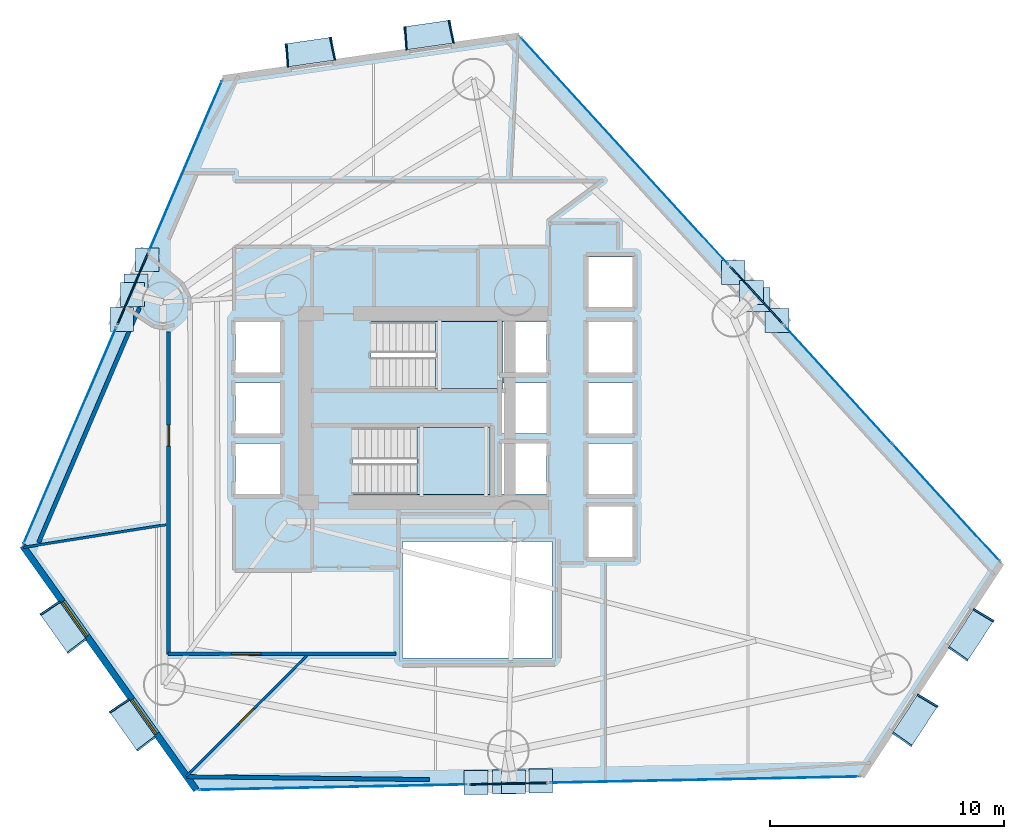
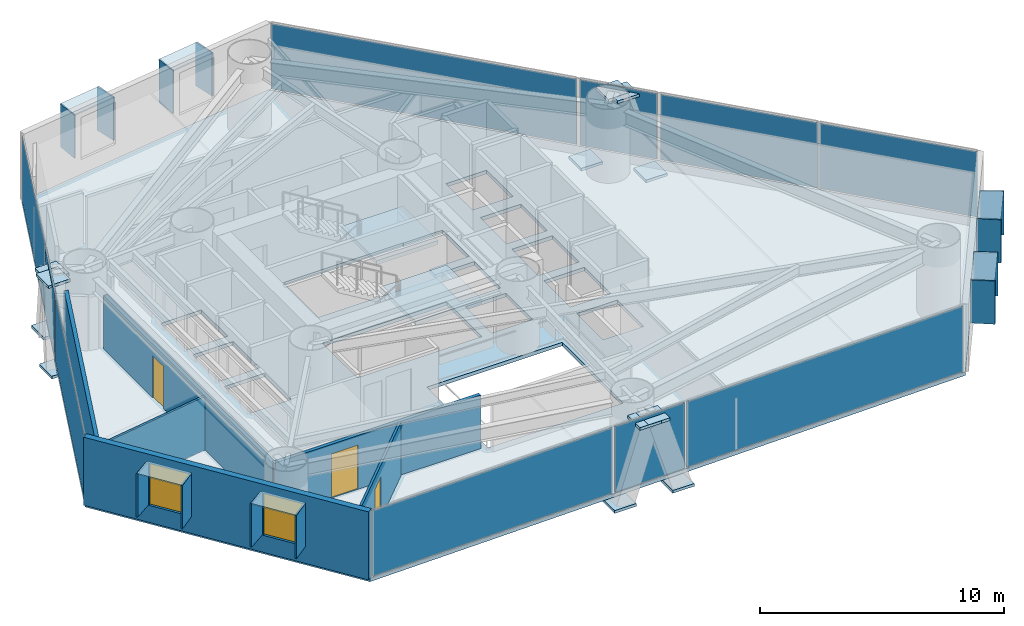
# One storey, part 16 of 22: 40 plates, 7 walls, 3 doors, 3 slabs, 2 windows, 5 openings, 11 elements without a shape of their own.
"""IFC4 building model written with IfcOpenShell, lengths in metres."""

from ifc_helpers import new_model, si_unit, direction, frame, frame_2d, origin, origin_2d, place, context, subcontext, project, spatial, polyline, rectangle, outline, extrude, material, layer, layer_set, type_object, element, fill, aggregate, save


model = new_model("IFC4")

# Units and contexts
model_context = context("Model", 3, precision=1e-05, world=origin(), true_north=direction((0.0, 1.0)))
body_context = subcontext(model_context, "Body", "Model", "MODEL_VIEW")
ifc_project = project(units=[si_unit("LENGTHUNIT", "METRE"), si_unit("AREAUNIT", "SQUARE_METRE"), si_unit("VOLUMEUNIT", "CUBIC_METRE"), si_unit("PLANEANGLEUNIT", "RADIAN"), si_unit("MASSUNIT", "GRAM", prefix="KILO")], contexts=[model_context])

# Site, building, storey
site_placement = place(None, origin())
site = spatial("IfcSite", under=ifc_project, at=site_placement, CompositionType="ELEMENT")
building_placement = place(site_placement, origin())
building = spatial("IfcBuilding", under=site, at=building_placement, Name="Qianvela Tower", CompositionType="ELEMENT")
storey_placement = place(building_placement, frame((0.0, 0.0, 44.199951171875)))
storey = spatial("IfcBuildingStorey", under=building, at=storey_placement, Name="L10", CompositionType="ELEMENT", Elevation=44.199951171875)

# Curtain wall, plate
ifc_material_1 = material(Name="Anodised Architectural Aluminium and Insulated Spandrel Panel", Category="aluminium")
ifc_layer_1 = layer(ifc_material_1, 0.179931640625)
ifc_layer_set_1 = layer_set([ifc_layer_1], Name="Anodised Architectural Aluminium and Insulated Spandrel Panel")
curtain_wall_type_1 = type_object("IfcCurtainWallType", Name="CW-BRACEBAY", PredefinedType="USERDEFINED", material=ifc_layer_set_1)
curtain_wall_1_placement = place(storey_placement, origin())
curtain_wall_1 = element("IfcCurtainWall", 1, at=curtain_wall_1_placement, inside=storey, type_object=curtain_wall_type_1, Name="L10 CW-BRACEBAY Curtain Wall 02B", ObjectType="CURTAIN_WALL_SYSTEM", PredefinedType="USERDEFINED")
ifc_material_2 = material(Name="Insulated Aluminium Spandrel Panel with Mineral-Wool Backpan", Category="aluminium")
ifc_layer_2 = layer(ifc_material_2, 0.06005859375)
ifc_layer_set_2 = layer_set([ifc_layer_2], Name="Insulated Aluminium Spandrel Panel with Mineral-Wool Backpan")
plate_type_1 = type_object("IfcPlateType", Name="CW-BRACEBAY-PNL", PredefinedType="CURTAIN_PANEL", material=ifc_layer_set_2)
plate_1_placement = place(storey_placement, frame((48.748779296875, 33.53515625, 0.06494140625), z_axis=(0.0, 0.0, 1.0), x_axis=(-0.674911732968, 0.737898470457, 0.0)))
plate_1 = element("IfcPlate", 2, at=plate_1_placement, type_object=plate_type_1, Name="CW-9 panel 1.1", PredefinedType="CURTAIN_PANEL", context=body_context, shape_type="SweptSolid", body=[
    extrude(rectangle(XDim=3.31982421875, YDim=0.06005859375, at=origin_2d()), origin(), (0.0, 0.0, 1.0), 3.27001953125),
])
aggregate(curtain_wall_1, [plate_1])

curtain_wall_2_placement = place(storey_placement, origin())
curtain_wall_2 = element("IfcCurtainWall", 3, at=curtain_wall_2_placement, inside=storey, type_object=curtain_wall_type_1, Name="L10 CW-BRACEBAY Curtain Wall 04B", ObjectType="CURTAIN_WALL_SYSTEM", PredefinedType="USERDEFINED")
plate_2_placement = place(storey_placement, frame((22.046142578125, 33.8037109375, 0.06494140625), z_axis=(0.0, 0.0, 1.0), x_axis=(-0.393943786304, -0.919134534893, 0.0)))
plate_2 = element("IfcPlate", 4, at=plate_2_placement, type_object=plate_type_1, Name="CW-9 panel 1.1", PredefinedType="CURTAIN_PANEL", context=body_context, shape_type="SweptSolid", body=[
    extrude(rectangle(XDim=3.320068359375, YDim=0.06005859375, at=origin_2d()), origin(), (0.0, 0.0, 1.0), 3.27001953125),
])
aggregate(curtain_wall_2, [plate_2])

curtain_wall_3_placement = place(storey_placement, origin())
curtain_wall_3 = element("IfcCurtainWall", 5, at=curtain_wall_3_placement, inside=storey, type_object=curtain_wall_type_1, Name="L10 CW-BRACEBAY Curtain Wall 06B", ObjectType="CURTAIN_WALL_SYSTEM", PredefinedType="USERDEFINED")
plate_3_placement = place(storey_placement, frame((38.126708984375, 12.623779296875, 0.06494140625), z_axis=(0.0, 0.0, 1.0), x_axis=(0.999797653743, 0.020115953144, 0.0)))
plate_3 = element("IfcPlate", 6, at=plate_3_placement, type_object=plate_type_1, Name="CW-9 panel 1.1", PredefinedType="CURTAIN_PANEL", context=body_context, shape_type="SweptSolid", body=[
    extrude(rectangle(XDim=3.320068359375, YDim=0.06005859375, at=origin_2d()), origin(), (0.0, 0.0, 1.0), 3.27001953125),
])
aggregate(curtain_wall_3, [plate_3])

# Curtain wall, plates
ifc_material_3 = material(Name="Anodised Architectural Aluminium and Low-E Glass", Category="aluminium")
ifc_layer_3 = layer(ifc_material_3, 0.179931640625)
ifc_layer_set_3 = layer_set([ifc_layer_3], Name="Anodised Architectural Aluminium and Low-E Glass")
curtain_wall_type_2 = type_object("IfcCurtainWallType", Name="CW-COLIV-Z12", PredefinedType="USERDEFINED", material=ifc_layer_set_3)
curtain_wall_4_placement = place(storey_placement, origin())
curtain_wall_4 = element("IfcCurtainWall", 7, at=curtain_wall_4_placement, inside=storey, type_object=curtain_wall_type_2, Name="L10 CW-COLIV-Z12 Curtain Wall 02A", ObjectType="CURTAIN_WALL_SYSTEM", PredefinedType="USERDEFINED")
ifc_material_4 = material(Name="Double-Silver Low-E Insulated Glass", Category="glass")
ifc_layer_4 = layer(ifc_material_4, 0.030029296875)
ifc_layer_set_4 = layer_set([ifc_layer_4], Name="Double-Silver Low-E Insulated Glass")
plate_type_2 = type_object("IfcPlateType", Name="CW-COLIV-Z12-PNL", PredefinedType="CURTAIN_PANEL", material=ifc_layer_set_4)
plate_4_placement = place(storey_placement, frame((56.861083984375, 24.665771484375, 0.06494140625), z_axis=(0.0, 0.0, 1.0), x_axis=(-0.674906816191, 0.737902967509, 0.0)))
plate_4 = element("IfcPlate", 8, at=plate_4_placement, type_object=plate_type_2, Name="CW-3 panel 1.1", PredefinedType="CURTAIN_PANEL", context=body_context, shape_type="SweptSolid", body=[
    extrude(rectangle(XDim=6.77001953125, YDim=0.030029296875, at=origin_2d()), origin(), (0.0, 0.0, 1.0), 3.27001953125),
])
plate_5_placement = place(storey_placement, frame((52.24462890625, 29.712890625, 0.06494140625), z_axis=(0.0, 0.0, 1.0), x_axis=(-0.674906816191, 0.737902967509, 0.0)))
plate_5 = element("IfcPlate", 9, at=plate_5_placement, type_object=plate_type_2, Name="CW-3 panel 2.1", PredefinedType="CURTAIN_PANEL", context=body_context, shape_type="SweptSolid", body=[
    extrude(rectangle(XDim=6.77001953125, YDim=0.030029296875, at=origin_2d()), origin(), (0.0, 0.0, 1.0), 3.27001953125),
])
aggregate(curtain_wall_4, [plate_4, plate_5])

# Curtain wall, plate
curtain_wall_5_placement = place(storey_placement, origin())
curtain_wall_5 = element("IfcCurtainWall", 10, at=curtain_wall_5_placement, inside=storey, type_object=curtain_wall_type_2, Name="L10 CW-COLIV-Z12 Curtain Wall 02C", ObjectType="CURTAIN_WALL_SYSTEM", PredefinedType="USERDEFINED")
plate_6_placement = place(storey_placement, frame((43.1083984375, 39.701904296875, 0.06494140625), z_axis=(0.0, 0.0, 1.0), x_axis=(-0.674910332157, 0.737899751692, 0.0)))
plate_6 = element("IfcPlate", 11, at=plate_6_placement, type_object=plate_type_2, Name="CW-3 panel 1.1", PredefinedType="CURTAIN_PANEL", context=body_context, shape_type="SweptSolid", body=[
    extrude(rectangle(XDim=13.1240234375, YDim=0.030029296875, at=origin_2d()), origin(), (0.0, 0.0, 1.0), 3.27001953125),
])
aggregate(curtain_wall_5, [plate_6])

curtain_wall_6_placement = place(storey_placement, origin())
curtain_wall_6 = element("IfcCurtainWall", 12, at=curtain_wall_6_placement, inside=storey, type_object=curtain_wall_type_2, Name="L10 CW-COLIV-Z12 Curtain Wall 04A", ObjectType="CURTAIN_WALL_SYSTEM", PredefinedType="USERDEFINED")
plate_7_placement = place(storey_placement, frame((24.305419921875, 39.07470703125, 0.06494140625), z_axis=(0.0, 0.0, 1.0), x_axis=(-0.393943376385, -0.919134710585, 0.0)))
plate_7 = element("IfcPlate", 13, at=plate_7_placement, type_object=plate_type_2, Name="CW-3 panel 1.1", PredefinedType="CURTAIN_PANEL", context=body_context, shape_type="SweptSolid", body=[
    extrude(rectangle(XDim=7.8798828125, YDim=0.030029296875, at=origin_2d()), origin(), (0.0, 0.0, 1.0), 3.27001953125),
])
aggregate(curtain_wall_6, [plate_7])

curtain_wall_7_placement = place(storey_placement, origin())
curtain_wall_7 = element("IfcCurtainWall", 14, at=curtain_wall_7_placement, inside=storey, type_object=curtain_wall_type_2, Name="L10 CW-COLIV-Z12 Curtain Wall 04C", ObjectType="CURTAIN_WALL_SYSTEM", PredefinedType="USERDEFINED")
plate_8_placement = place(storey_placement, frame((19.359619140625, 27.535400390625, 0.06494140625), z_axis=(0.0, 0.0, 1.0), x_axis=(-0.393940618904, -0.919135892443, 0.0)))
plate_8 = element("IfcPlate", 15, at=plate_8_placement, type_object=plate_type_2, Name="CW-3 panel 1.1", PredefinedType="CURTAIN_PANEL", context=body_context, shape_type="SweptSolid", body=[
    extrude(rectangle(XDim=10.04931640625, YDim=0.030029296875, at=origin_2d()), origin(), (0.0, 0.0, 1.0), 3.27001953125),
])
aggregate(curtain_wall_7, [plate_8])

curtain_wall_8_placement = place(storey_placement, origin())
curtain_wall_8 = element("IfcCurtainWall", 16, at=curtain_wall_8_placement, inside=storey, type_object=curtain_wall_type_2, Name="L10 CW-COLIV-Z12 Curtain Wall 06A", ObjectType="CURTAIN_WALL_SYSTEM", PredefinedType="USERDEFINED")
plate_9_placement = place(storey_placement, frame((30.6083984375, 12.47265625, 0.06494140625), z_axis=(0.0, 0.0, 1.0), x_axis=(0.999797554462, 0.020120886959, 0.0)))
plate_9 = element("IfcPlate", 17, at=plate_9_placement, type_object=plate_type_2, Name="CW-3 panel 1.1", PredefinedType="CURTAIN_PANEL", context=body_context, shape_type="SweptSolid", body=[
    extrude(rectangle(XDim=11.449951171875, YDim=0.030029296875, at=origin_2d()), origin(), (0.0, 0.0, 1.0), 3.27001953125),
])
aggregate(curtain_wall_8, [plate_9])

curtain_wall_9_placement = place(storey_placement, origin())
curtain_wall_9 = element("IfcCurtainWall", 18, at=curtain_wall_9_placement, inside=storey, type_object=curtain_wall_type_2, Name="L10 CW-COLIV-Z12 Curtain Wall 06C", ObjectType="CURTAIN_WALL_SYSTEM", PredefinedType="USERDEFINED")
plate_10_placement = place(storey_placement, frame((46.51708984375, 12.792724609375, 0.06494140625), z_axis=(0.0, 0.0, 1.0), x_axis=(0.99979754527, 0.020121343706, 0.0)))
plate_10 = element("IfcPlate", 19, at=plate_10_placement, type_object=plate_type_2, Name="CW-3 panel 1.1", PredefinedType="CURTAIN_PANEL", context=body_context, shape_type="SweptSolid", body=[
    extrude(rectangle(XDim=13.194091796875, YDim=0.030029296875, at=origin_2d()), origin(), (0.0, 0.0, 1.0), 3.27001953125),
])
aggregate(curtain_wall_9, [plate_10])

# Plates
ifc_material_5 = material(Name="Steel Q420GJC", Category="steel")
ifc_layer_5 = layer(ifc_material_5, 0.139892578125)
ifc_layer_set_5 = layer_set([ifc_layer_5], Name="Steel Q420GJC")
plate_type_3 = type_object("IfcPlateType", Name="PT-GUSSET-NODE-140", PredefinedType="USERDEFINED", material=ifc_layer_set_5)
for number, where, z_axis, x_axis, name in (
    (20, (49.62841796875, 32.454833984375, -0.66357421875), (0.0, 0.0, 1.0), (1.0, 0.0, 0.0), "L10 Node Gusset Plate A"),
    (21, (48.810546875, 33.34912109375, 3.0400390625), (0.0, 0.0, 1.0), (1.0, 0.0, 0.0), "L10 Node Gusset Plate B"),
    (22, (47.75244140625, 34.506103515625, -0.6640625), (0.0, 0.0, 1.0), (1.0, 0.0, 0.0), "L10 Node Gusset Plate A"),
    (23, (48.540283203125, 33.644287109375, 3.0400390625), (0.0, 0.0, 1.0), (1.0, 0.0, 0.0), "L10 Node Gusset Plate B"),
    (24, (22.668701171875, 35.052490234375, -0.66357421875), (0.0, 0.0, 1.0), (1.0, 0.0, 0.0), "L10 Node Gusset Plate A"),
    (25, (22.1904296875, 33.93701171875, 3.0400390625), (0.0, 0.0, 1.0), (1.0, 0.0, 0.0), "L10 Node Gusset Plate B"),
    (26, (21.573486328125, 32.49755859375, -0.6640625), (0.0, 0.0, 1.0), (1.0, 0.0, 0.0), "L10 Node Gusset Plate A"),
    (27, (22.032958984375, 33.569091796875, 3.0400390625), (0.0, 0.0, 1.0), (1.0, 0.0, 0.0), "L10 Node Gusset Plate B"),
    (28, (36.733642578125, 12.67578125, -0.66357421875), (0.0, 0.0, 1.0), (1.0, 0.0, 0.0), "L10 Node Gusset Plate A"),
    (29, (37.946533203125, 12.7001953125, 3.0400390625), (0.0, 0.0, 1.0), (1.0, 0.0, 0.0), "L10 Node Gusset Plate B"),
    (30, (39.5126953125, 12.731689453125, -0.6640625), (0.0, 0.0, 1.0), (1.0, 0.0, 0.0), "L10 Node Gusset Plate A"),
    (31, (38.346923828125, 12.708251953125, 3.0400390625), (0.0, 0.0, 1.0), (1.0, 0.0, 0.0), "L10 Node Gusset Plate B"),
):
    element("IfcPlate", number, at=place(storey_placement, frame(where, z_axis=z_axis, x_axis=x_axis)), inside=storey, type_object=plate_type_3, Name=name, ObjectType="GUSSET_PLATE", PredefinedType="USERDEFINED", context=body_context, shape_type="SweptSolid", body=[
        extrude(rectangle(XDim=1.02001953125, YDim=1.02001953125, at=origin_2d()), origin(), (0.0, 0.0, 1.0), 0.139892578125),
    ])

# Slab
ifc_material_6 = material(Name="Concrete C40", Category="concrete")
ifc_layer_6 = layer(ifc_material_6, 0.179931640625)
ifc_layer_set_6 = layer_set([ifc_layer_6], Name="Concrete C40")
slab_type_1 = type_object("IfcSlabType", Name="SL-FLOOR-180", PredefinedType="FLOOR", material=ifc_layer_set_6)
slab_1_placement = place(storey_placement, frame((0.0, 0.0, -0.179931640625)))
element("IfcSlab", 32, at=slab_1_placement, inside=storey, type_object=slab_type_1, Name="L10 Composite Structural Floor Slab", PredefinedType="FLOOR", context=body_context, shape_type="SweptSolid", body=[
    extrude(outline(polyline([(53.23291015625, 12.927978515625), (59.2265625, 22.079345703125), (38.5986328125, 44.632568359375), (25.90478515625, 42.806396484375), (17.3330078125, 22.806640625), (24.764404296875, 12.35498046875), (53.23291015625, 12.927978515625)]), holes=[polyline([(40.0, 23.0), (33.60009765625, 23.0), (33.60009765625, 18.0), (40.0, 18.0), (40.0, 23.0)]), polyline([(28.360107421875, 25.02001953125), (28.360107421875, 27.179931640625), (26.43994140625, 27.179931640625), (26.43994140625, 25.02001953125), (28.360107421875, 25.02001953125)]), polyline([(37.35009765625, 25.0), (37.35009765625, 27.860107421875), (31.469970703125, 27.860107421875), (31.469970703125, 25.0), (37.35009765625, 25.0)]), polyline([(28.360107421875, 27.6201171875), (28.360107421875, 29.780029296875), (26.43994140625, 29.780029296875), (26.43994140625, 27.6201171875), (28.360107421875, 27.6201171875)]), polyline([(37.89990234375, 32.3798828125), (37.89990234375, 32.39990234375), (32.25, 32.39990234375), (32.25, 29.5400390625), (37.840087890625, 29.5400390625), (37.840087890625, 27.6201171875), (39.760009765625, 27.6201171875), (39.760009765625, 29.780029296875), (37.89990234375, 29.780029296875), (37.89990234375, 30.219970703125), (39.760009765625, 30.219970703125), (39.760009765625, 32.3798828125), (37.89990234375, 32.3798828125)]), polyline([(28.360107421875, 30.219970703125), (28.360107421875, 32.3798828125), (26.43994140625, 32.3798828125), (26.43994140625, 30.219970703125), (28.360107421875, 30.219970703125)]), polyline([(43.4599609375, 24.47998046875), (41.5400390625, 24.47998046875), (41.5400390625, 22.320068359375), (43.4599609375, 22.320068359375), (43.4599609375, 24.47998046875)]), polyline([(39.760009765625, 25.02001953125), (39.760009765625, 27.179931640625), (37.840087890625, 27.179931640625), (37.840087890625, 25.02001953125), (39.760009765625, 25.02001953125)]), polyline([(43.4599609375, 25.02001953125), (43.4599609375, 27.179931640625), (41.5400390625, 27.179931640625), (41.5400390625, 25.02001953125), (43.4599609375, 25.02001953125)]), polyline([(43.4599609375, 27.6201171875), (43.4599609375, 29.780029296875), (41.5400390625, 29.780029296875), (41.5400390625, 27.6201171875), (43.4599609375, 27.6201171875)]), polyline([(43.4599609375, 30.219970703125), (43.4599609375, 32.3798828125), (41.5400390625, 32.3798828125), (41.5400390625, 30.219970703125), (43.4599609375, 30.219970703125)]), polyline([(43.4599609375, 33.02001953125), (43.4599609375, 35.179931640625), (41.5400390625, 35.179931640625), (41.5400390625, 33.02001953125), (43.4599609375, 33.02001953125)])]), origin(), (0.0, 0.0, 1.0), 0.179931640625),
])

# Stair, slab
ifc_material_7 = material(Name="Concrete C40", Category="concrete")
stair_type = type_object("IfcStairType", Name="ST-DOGLEG-1350-R168-N22", PredefinedType="HALF_TURN_STAIR", material=ifc_material_7)
stair_1_placement = place(storey_placement, origin())
stair_1 = element("IfcStair", 33, at=stair_1_placement, inside=storey, type_object=stair_type, Name="L10 Smoke-Proof Core Stair ST-1", PredefinedType="HALF_TURN_STAIR")
ifc_material_8 = material(Name="Concrete C40", Category="concrete")
ifc_layer_7 = layer(ifc_material_8, 0.199951171875)
ifc_layer_set_7 = layer_set([ifc_layer_7], Name="Concrete C40")
slab_type_2 = type_object("IfcSlabType", Name="SL-STAIR-LANDING-200", PredefinedType="LANDING", material=ifc_layer_set_7)
slab_2_placement = place(storey_placement, frame((0.0, 0.0, 1.650146484375)))
slab_2 = element("IfcSlab", 34, at=slab_2_placement, type_object=slab_type_2, Name="ST-1 landing 1", PredefinedType="LANDING", context=body_context, shape_type="SweptSolid", body=[
    extrude(outline(polyline([(35.0, 29.5400390625), (37.89990234375, 29.5400390625), (37.89990234375, 32.39990234375), (35.0, 32.39990234375), (35.0, 29.5400390625)])), origin(), (0.0, 0.0, 1.0), 0.199951171875),
])
aggregate(stair_1, [slab_2])

stair_2_placement = place(storey_placement, origin())
stair_2 = element("IfcStair", 35, at=stair_2_placement, inside=storey, type_object=stair_type, Name="L10 Smoke-Proof Core Stair ST-2", PredefinedType="HALF_TURN_STAIR")
slab_3_placement = place(storey_placement, frame((0.0, 0.0, 1.650146484375)))
slab_3 = element("IfcSlab", 36, at=slab_3_placement, type_object=slab_type_2, Name="ST-2 landing 1", PredefinedType="LANDING", context=body_context, shape_type="SweptSolid", body=[
    extrude(outline(polyline([(34.219970703125, 25.0), (37.35009765625, 25.0), (37.35009765625, 27.860107421875), (34.219970703125, 27.860107421875), (34.219970703125, 25.0)])), origin(), (0.0, 0.0, 1.0), 0.199951171875),
])
aggregate(stair_2, [slab_3])

# Plates
ifc_material_9 = material(Name="Vitrified Architectural Terracotta Panel", Category="masonry")
ifc_layer_8 = layer(ifc_material_9, 0.06005859375)
ifc_layer_set_8 = layer_set([ifc_layer_8], Name="Vitrified Architectural Terracotta Panel")
plate_type_4 = type_object("IfcPlateType", Name="TERRACOTTA-SUNSHADE-HOOD-FOLD-A", PredefinedType="USERDEFINED", material=ifc_layer_set_8)
for number, where, z_axis, x_axis, name in (
    (37, (34.705810546875, 44.673583984375, 2.9599609375), (0.0, 0.0, 1.0), (-0.989810306633, -0.142392264129, 0.0), "L10 Terracotta Sunshade Hood FOLD-A"),
    (38, (29.62841796875, 43.943359375, 2.9599609375), (0.0, 0.0, 1.0), (-0.989810306633, -0.142392264129, 0.0), "L10 Terracotta Sunshade Hood FOLD-A"),
):
    element("IfcPlate", number, at=place(storey_placement, frame(where, z_axis=z_axis, x_axis=x_axis)), inside=storey, type_object=plate_type_4, Name=name, ObjectType="SUNSHADE", PredefinedType="USERDEFINED", context=body_context, shape_type="SweptSolid", body=[
        extrude(rectangle(XDim=2.0400390625, YDim=0.989990234375, at=origin_2d()), origin(), (0.0, 0.0, 1.0), 0.06005859375),
    ])
ifc_material_10 = material(Name="Vitrified Architectural Terracotta Panel", Category="masonry")
ifc_layer_9 = layer(ifc_material_10, 0.070068359375)
ifc_layer_set_9 = layer_set([ifc_layer_9], Name="Vitrified Architectural Terracotta Panel")
plate_type_5 = type_object("IfcPlateType", Name="TERRACOTTA-SUNSHADE-HOOD-FOLD-C", PredefinedType="USERDEFINED", material=ifc_layer_set_9)
for number, where, z_axis, x_axis, name in (
    (39, (55.52880859375, 15.347412109375, 2.9599609375), (0.0, 0.0, 1.0), (0.547901998177, 0.836542527546, 0.0), "L10 Terracotta Sunshade Hood FOLD-C"),
    (40, (57.92626953125, 19.0078125, 2.9599609375), (0.0, 0.0, 1.0), (0.547901998177, 0.836542527546, 0.0), "L10 Terracotta Sunshade Hood FOLD-C"),
    (41, (19.077392578125, 19.326416015625, 2.9599609375), (0.0, 0.0, 1.0), (0.57948175076, -0.814985214919, 0.0), "L10 Terracotta Sunshade Hood FOLD-C"),
    (42, (22.050048828125, 15.145751953125, 2.9599609375), (0.0, 0.0, 1.0), (0.57948175076, -0.814985214919, 0.0), "L10 Terracotta Sunshade Hood FOLD-C"),
):
    element("IfcPlate", number, at=place(storey_placement, frame(where, z_axis=z_axis, x_axis=x_axis)), inside=storey, type_object=plate_type_5, Name=name, ObjectType="SUNSHADE", PredefinedType="USERDEFINED", context=body_context, shape_type="SweptSolid", body=[
        extrude(rectangle(XDim=2.0400390625, YDim=0.989990234375, at=origin_2d()), origin(), (0.0, 0.0, 1.0), 0.06005859375),
    ])
ifc_material_11 = material(Name="Vitrified Architectural Terracotta Side Fin Panel", Category="masonry")
ifc_layer_10 = layer(ifc_material_11, 0.06494140625)
ifc_layer_set_10 = layer_set([ifc_layer_10], Name="Vitrified Architectural Terracotta Side Fin Panel")
plate_type_6 = type_object("IfcPlateType", Name="TERRACOTTA-SUNSHADE-STRUT-FOLD-A", PredefinedType="USERDEFINED", material=ifc_layer_set_10)
for number, where, z_axis, x_axis, name in (
    (43, (35.685791015625, 44.814697265625, 0.85009765625), (0.0, 0.0, 1.0), (-0.977466396239, -0.211091080397, 0.0), "L10 Terracotta Sunshade Side Fin HL FOLD-A"),
    (44, (33.725830078125, 44.53271484375, 0.85009765625), (0.0, 0.0, 1.0), (-0.997331960707, -0.072999727064, 0.0), "L10 Terracotta Sunshade Side Fin HR FOLD-A"),
    (45, (30.608154296875, 44.084228515625, 0.85009765625), (0.0, 0.0, 1.0), (-0.977466396239, -0.211091080397, 0.0), "L10 Terracotta Sunshade Side Fin HL FOLD-A"),
    (46, (28.6484375, 43.80224609375, 0.85009765625), (0.0, 0.0, 1.0), (-0.997331960707, -0.072999727064, 0.0), "L10 Terracotta Sunshade Side Fin HR FOLD-A"),
):
    element("IfcPlate", number, at=place(storey_placement, frame(where, z_axis=z_axis, x_axis=x_axis)), inside=storey, type_object=plate_type_6, Name=name, ObjectType="SUNSHADE", PredefinedType="USERDEFINED", context=body_context, shape_type="SweptSolid", body=[
        extrude(rectangle(XDim=0.06494140625, YDim=1.010009765625, at=origin_2d()), origin(), (0.0, 0.0, 1.0), 2.159912109375),
    ])
ifc_material_12 = material(Name="Vitrified Architectural Terracotta Side Fin Panel", Category="masonry")
ifc_layer_11 = layer(ifc_material_12, 0.074951171875)
ifc_layer_set_11 = layer_set([ifc_layer_11], Name="Vitrified Architectural Terracotta Side Fin Panel")
plate_type_7 = type_object("IfcPlateType", Name="TERRACOTTA-SUNSHADE-STRUT-FOLD-C", PredefinedType="USERDEFINED", material=ifc_layer_set_11)
for number, where, z_axis, x_axis, name in (
    (47, (54.986328125, 14.51904296875, 0.85009765625), (0.0, 0.0, 1.0), (0.576763144265, 0.816911424463, 0.0), "L10 Terracotta Sunshade Side Fin HL FOLD-C"),
    (48, (56.071044921875, 16.175537109375, 0.85009765625), (0.0, 0.0, 1.0), (0.518373317902, 0.85515443242, 0.0), "L10 Terracotta Sunshade Side Fin HR FOLD-C"),
    (49, (57.3837890625, 18.1796875, 0.85009765625), (0.0, 0.0, 1.0), (0.576763144265, 0.816911424463, 0.0), "L10 Terracotta Sunshade Side Fin HL FOLD-C"),
    (50, (58.468505859375, 19.836181640625, 0.85009765625), (0.0, 0.0, 1.0), (0.518373317902, 0.85515443242, 0.0), "L10 Terracotta Sunshade Side Fin HR FOLD-C"),
    (51, (18.50390625, 20.13330078125, 0.85009765625), (0.0, 0.0, 1.0), (0.550686172314, -0.834712369396, 0.0), "L10 Terracotta Sunshade Side Fin HL FOLD-C"),
    (52, (19.651123046875, 18.51953125, 0.85009765625), (0.0, 0.0, 1.0), (0.607571319955, -0.794265126496, 0.0), "L10 Terracotta Sunshade Side Fin HR FOLD-C"),
    (53, (21.476318359375, 15.95263671875, 0.85009765625), (0.0, 0.0, 1.0), (0.550686172314, -0.834712369396, 0.0), "L10 Terracotta Sunshade Side Fin HL FOLD-C"),
    (54, (22.623779296875, 14.3388671875, 0.85009765625), (0.0, 0.0, 1.0), (0.607571319955, -0.794265126496, 0.0), "L10 Terracotta Sunshade Side Fin HR FOLD-C"),
):
    element("IfcPlate", number, at=place(storey_placement, frame(where, z_axis=z_axis, x_axis=x_axis)), inside=storey, type_object=plate_type_7, Name=name, ObjectType="SUNSHADE", PredefinedType="USERDEFINED", context=body_context, shape_type="SweptSolid", body=[
        extrude(rectangle(XDim=0.074951171875, YDim=1.010009765625, at=origin_2d()), origin(), (0.0, 0.0, 1.0), 2.159912109375),
    ])

# Wall, openings, windows
ifc_material_13 = material(Name="Terracotta Cladding on Concrete C40", Category="masonry")
ifc_layer_12 = layer(ifc_material_13, 0.280029296875)
ifc_layer_set_12 = layer_set([ifc_layer_12], Name="Terracotta Cladding on Concrete C40")
wall_type_1 = type_object("IfcWallType", Name="TERRACOTTA-WALL-280", PredefinedType="SOLIDWALL", material=ifc_layer_set_12)
wall_1_placement = place(storey_placement, frame((17.3330078125, 22.806640625, 0.0), z_axis=(0.0, 0.0, 1.0), x_axis=(0.579477425236, -0.814988290494, 0.0)))
wall_1 = element("IfcWall", 55, at=wall_1_placement, inside=storey, type_object=wall_type_1, Name="L10 Terracotta Chamfer Facet Wall 5", PredefinedType="SOLIDWALL", context=body_context, shape_type="SweptSolid", body=[
    extrude(rectangle(XDim=12.82421875, YDim=0.280029296875, at=frame_2d((6.412109375, 0.0))), origin(), (0.0, 0.0, 1.0), 3.400146484375),
])
opening_1_placement = place(wall_1_placement, frame((2.947265625, 0.0, 0.85009765625)))
opening_1 = element("IfcOpeningElement", 56, at=opening_1_placement, cuts=wall_1, Name="Opening W-01", PredefinedType="OPENING", context=body_context, shape_type="SweptSolid", body=[
    extrude(rectangle(XDim=1.800048828125, YDim=2.10009765625, at=frame_2d((0.89990234375, 1.050048828125))), frame((0.0, 0.14990234375, 0.0), z_axis=(0.0, -1.0, 0.0), x_axis=(1.0, 0.0, 0.0)), (0.0, 0.0, 1.0), 0.300048828125),
])
opening_2_placement = place(wall_1_placement, frame((8.0771484375, 0.0, 0.85009765625)))
opening_2 = element("IfcOpeningElement", 57, at=opening_2_placement, cuts=wall_1, Name="Opening W-01", PredefinedType="OPENING", context=body_context, shape_type="SweptSolid", body=[
    extrude(rectangle(XDim=1.800048828125, YDim=2.10009765625, at=frame_2d((0.89990234375, 1.050048828125))), frame((0.0, 0.14990234375, 0.0), z_axis=(0.0, -1.0, 0.0), x_axis=(1.0, 0.0, 0.0)), (0.0, 0.0, 1.0), 0.300048828125),
])
ifc_material_14 = material(Name="Thermally Broken Aluminium and Low-E Glass", Category="aluminium")
window_type = type_object("IfcWindowType", Name="WIN-TC-1800x2100", PartitioningType="DOUBLE_PANEL_VERTICAL", PredefinedType="WINDOW", material=ifc_material_14)
window_1_placement = place(opening_1_placement, origin())
window_1 = element("IfcWindow", 58, at=window_1_placement, inside=storey, type_object=window_type, Name="L10 Chamfer Facet Window 5.1", OverallHeight=2.10009765625, OverallWidth=1.800048828125, PartitioningType="SINGLE_PANEL", PredefinedType="WINDOW", context=body_context, shape_type="SweptSolid", body=[
    extrude(rectangle(XDim=1.800048828125, YDim=2.10009765625, at=frame_2d((0.89990234375, 1.050048828125))), frame((0.0, 0.030029296875, 0.0), z_axis=(0.0, -1.0, 0.0), x_axis=(1.0, 0.0, 0.0)), (0.0, 0.0, 1.0), 0.06005859375),
])
fill(opening_1, window_1)
window_2_placement = place(opening_2_placement, origin())
window_2 = element("IfcWindow", 59, at=window_2_placement, inside=storey, type_object=window_type, Name="L10 Chamfer Facet Window 5.2", OverallHeight=2.10009765625, OverallWidth=1.800048828125, PartitioningType="SINGLE_PANEL", PredefinedType="WINDOW", context=body_context, shape_type="SweptSolid", body=[
    extrude(rectangle(XDim=1.800048828125, YDim=2.10009765625, at=frame_2d((0.89990234375, 1.050048828125))), frame((0.0, 0.030029296875, 0.0), z_axis=(0.0, -1.0, 0.0), x_axis=(1.0, 0.0, 0.0)), (0.0, 0.0, 1.0), 0.06005859375),
])
fill(opening_2, window_2)

# Wall, opening, door
ifc_material_15 = material(Name="Fire-Rated Gypsum and Concrete Block", Category="concrete")
ifc_layer_13 = layer(ifc_material_15, 0.159912109375)
ifc_layer_set_13 = layer_set([ifc_layer_13], Name="Fire-Rated Gypsum and Concrete Block")
wall_type_2 = type_object("IfcWallType", Name="WT-CORR-160", PredefinedType="PARTITIONING", material=ifc_layer_set_13)
wall_2_placement = place(storey_placement, frame((33.320068359375, 18.180908203125, 0.0), z_axis=(0.0, 0.0, 1.0), x_axis=(-1.0, 0.0, 0.0)))
wall_2 = element("IfcWall", 60, at=wall_2_placement, inside=storey, type_object=wall_type_2, Name="L10 Partition 47", PredefinedType="PARTITIONING", context=body_context, shape_type="SweptSolid", body=[
    extrude(rectangle(XDim=9.77001953125, YDim=0.159912109375, at=frame_2d((4.885009765625, 0.0))), origin(), (0.0, 0.0, 1.0), 2.677978515625),
])
opening_3_placement = place(wall_2_placement, frame((5.794189453125, 0.0, 0.0)))
opening_3 = element("IfcOpeningElement", 61, at=opening_3_placement, cuts=wall_2, Name="Opening D-LG1", PredefinedType="OPENING", context=body_context, shape_type="SweptSolid", body=[
    extrude(rectangle(XDim=1.25, YDim=2.199951171875, at=frame_2d((0.625, 1.10009765625))), frame((0.0, 0.08984375, 0.0), z_axis=(0.0, -1.0, 0.0), x_axis=(1.0, 0.0, 0.0)), (0.0, 0.0, 1.0), 0.179931640625),
])
ifc_material_16 = material(Name="Anodised Aluminium Acoustic Glass Door", Category="aluminium")
door_type_1 = type_object("IfcDoorType", Name="DT-LOUNGE-1250", OperationType="NOTDEFINED", PredefinedType="DOOR", material=ifc_material_16)
door_1_placement = place(opening_3_placement, origin())
door_1 = element("IfcDoor", 62, at=door_1_placement, inside=storey, type_object=door_type_1, Name="L10 Door Commons Day Lounge L10-01 to L10 Floor Corridor", OperationType="SINGLE_SWING_LEFT", OverallHeight=2.199951171875, OverallWidth=1.25, PredefinedType="DOOR", context=body_context, shape_type="SweptSolid", body=[
    extrude(rectangle(XDim=1.25, YDim=2.199951171875, at=frame_2d((0.625, 1.10009765625))), frame((0.0, 0.02490234375, 0.0), z_axis=(0.0, -1.0, 0.0), x_axis=(1.0, 0.0, 0.0)), (0.0, 0.0, 1.0), 0.050048828125),
])
fill(opening_3, door_1)

wall_3_placement = place(storey_placement, frame((23.5810546875, 18.14990234375, 0.0), z_axis=(0.0, 0.0, 1.0), x_axis=(0.0, 1.0, 0.0)))
wall_3 = element("IfcWall", 63, at=wall_3_placement, inside=storey, type_object=wall_type_2, Name="L10 Partition 48", PredefinedType="PARTITIONING", context=body_context, shape_type="SweptSolid", body=[
    extrude(rectangle(XDim=13.810302734375, YDim=0.159912109375, at=frame_2d((6.9052734375, 0.0))), origin(), (0.0, 0.0, 1.0), 2.677978515625),
])
opening_4_placement = place(wall_3_placement, frame((8.91943359375, 0.0, 0.0)))
opening_4 = element("IfcOpeningElement", 64, at=opening_4_placement, cuts=wall_3, Name="Opening D-KT1", PredefinedType="OPENING", context=body_context, shape_type="SweptSolid", body=[
    extrude(rectangle(XDim=0.89990234375, YDim=2.10009765625, at=frame_2d((0.449951171875, 1.050048828125))), frame((0.0, 0.08984375, 0.0), z_axis=(0.0, -1.0, 0.0), x_axis=(1.0, 0.0, 0.0)), (0.0, 0.0, 1.0), 0.179931640625),
])
ifc_material_17 = material(Name="Glazed Timber Kitchen Door", Category="wood")
door_type_2 = type_object("IfcDoorType", Name="DT-KITCH-900", OperationType="NOTDEFINED", PredefinedType="DOOR", material=ifc_material_17)
door_2_placement = place(opening_4_placement, origin())
door_2 = element("IfcDoor", 65, at=door_2_placement, inside=storey, type_object=door_type_2, Name="L10 Door Floor Dining Kitchen L10-04 to L10 Floor Corridor", OperationType="SINGLE_SWING_RIGHT", OverallHeight=2.10009765625, OverallWidth=0.89990234375, PredefinedType="DOOR", context=body_context, shape_type="SweptSolid", body=[
    extrude(rectangle(XDim=0.89990234375, YDim=2.10009765625, at=frame_2d((0.449951171875, 1.050048828125))), frame((0.0, 0.02490234375, 0.0), z_axis=(0.0, -1.0, 0.0), x_axis=(1.0, 0.0, 0.0)), (0.0, 0.0, 1.0), 0.050048828125),
])
fill(opening_4, door_2)

# Wall
ifc_material_18 = material(Name="Lightweight Gypsum Room Partition")
ifc_layer_14 = layer(ifc_material_18, 0.10498046875)
ifc_layer_set_14 = layer_set([ifc_layer_14], Name="Lightweight Gypsum Room Partition")
wall_type_3 = type_object("IfcWallType", Name="WT-PART-105", PredefinedType="PARTITIONING", material=ifc_layer_set_14)
wall_4_placement = place(storey_placement, frame((17.361083984375, 22.736328125, 0.0), z_axis=(0.0, 0.0, 1.0), x_axis=(0.987689944213, 0.156424339859, 0.0)))
element("IfcWall", 66, at=wall_4_placement, inside=storey, type_object=wall_type_3, Name="L10 Partition 51", PredefinedType="PARTITIONING", context=body_context, shape_type="SweptSolid", body=[
    extrude(rectangle(XDim=6.18994140625, YDim=0.10498046875, at=frame_2d((3.094970703125, 0.0))), origin(), (0.0, 0.0, 1.0), 2.677978515625),
])

# Wall, opening, door
wall_5_placement = place(storey_placement, frame((29.48876953125, 18.091796875, 0.0), z_axis=(0.0, 0.0, 1.0), x_axis=(-0.707106781187, -0.707106781187, 0.0)))
wall_5 = element("IfcWall", 67, at=wall_5_placement, inside=storey, type_object=wall_type_3, Name="L10 Partition 54", PredefinedType="PARTITIONING", context=body_context, shape_type="SweptSolid", body=[
    extrude(rectangle(XDim=7.296142578125, YDim=0.10498046875, at=frame_2d((3.64794921875, 0.0))), origin(), (0.0, 0.0, 1.0), 2.677978515625),
])
opening_5_placement = place(wall_5_placement, frame((3.197998046875, 0.0, 0.0)))
opening_5 = element("IfcOpeningElement", 68, at=opening_5_placement, cuts=wall_5, Name="Opening D-KT1", PredefinedType="OPENING", context=body_context, shape_type="SweptSolid", body=[
    extrude(rectangle(XDim=0.89990234375, YDim=2.10009765625, at=frame_2d((0.449951171875, 1.050048828125))), frame((0.0, 0.0625, 0.0), z_axis=(0.0, -1.0, 0.0), x_axis=(1.0, 0.0, 0.0)), (0.0, 0.0, 1.0), 0.125),
])
door_3_placement = place(opening_5_placement, origin())
door_3 = element("IfcDoor", 69, at=door_3_placement, inside=storey, type_object=door_type_2, Name="L10 Door Social Galley Kitchen L10-05 to Commons Day Lounge L10-01", OperationType="SINGLE_SWING_LEFT", OverallHeight=2.10009765625, OverallWidth=0.89990234375, PredefinedType="DOOR", context=body_context, shape_type="SweptSolid", body=[
    extrude(rectangle(XDim=0.89990234375, YDim=2.10009765625, at=frame_2d((0.449951171875, 1.050048828125))), frame((0.0, 0.02490234375, 0.0), z_axis=(0.0, -1.0, 0.0), x_axis=(1.0, 0.0, 0.0)), (0.0, 0.0, 1.0), 0.050048828125),
])
fill(opening_5, door_3)

# Walls
ifc_material_19 = material(Name="Moisture-Resistant Acoustic Plumbing Wall")
ifc_layer_15 = layer(ifc_material_19, 0.175048828125)
ifc_layer_set_15 = layer_set([ifc_layer_15], Name="Moisture-Resistant Acoustic Plumbing Wall")
wall_type_4 = type_object("IfcWallType", Name="WT-PLUMB-175", PredefinedType="PLUMBINGWALL", material=ifc_layer_set_15)
wall_6_placement = place(storey_placement, frame((18.016845703125, 22.93994140625, 0.0), z_axis=(0.0, 0.0, 1.0), x_axis=(0.393932757069, 0.919139261977, 0.0)))
element("IfcWall", 70, at=wall_6_placement, inside=storey, type_object=wall_type_4, Name="L10 Partition 84", PredefinedType="PLUMBINGWALL", context=body_context, shape_type="SweptSolid", body=[
    extrude(rectangle(XDim=10.94677734375, YDim=0.175048828125, at=frame_2d((5.473388671875, 0.0))), origin(), (0.0, 0.0, 1.0), 2.719970703125),
])
wall_7_placement = place(storey_placement, frame((34.7509765625, 12.7958984375, 0.0), z_axis=(0.0, 0.0, 1.0), x_axis=(-0.99992593693, 0.012170482898, 0.0)))
element("IfcWall", 71, at=wall_7_placement, inside=storey, type_object=wall_type_4, Name="L10 Partition 89 seg 2", PredefinedType="PLUMBINGWALL", context=body_context, shape_type="SweptSolid", body=[
    extrude(rectangle(XDim=10.4111328125, YDim=0.175048828125, at=frame_2d((5.20556640625, 0.0))), origin(), (0.0, 0.0, 1.0), 2.719970703125),
])

save(model, "model.ifc")
